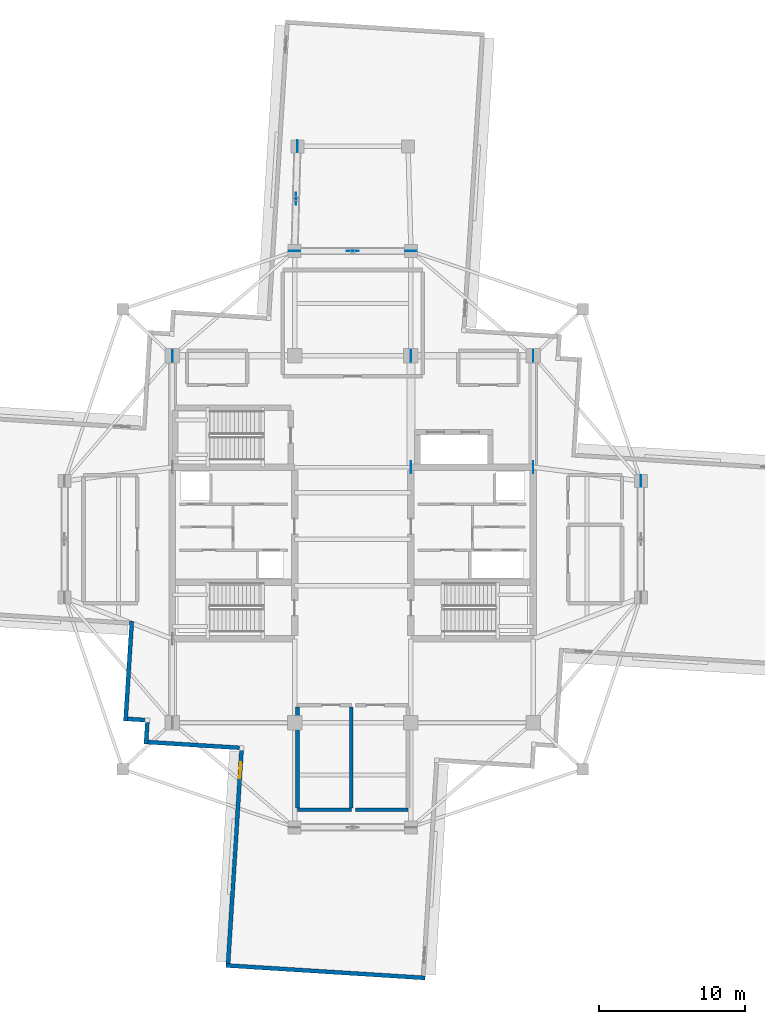
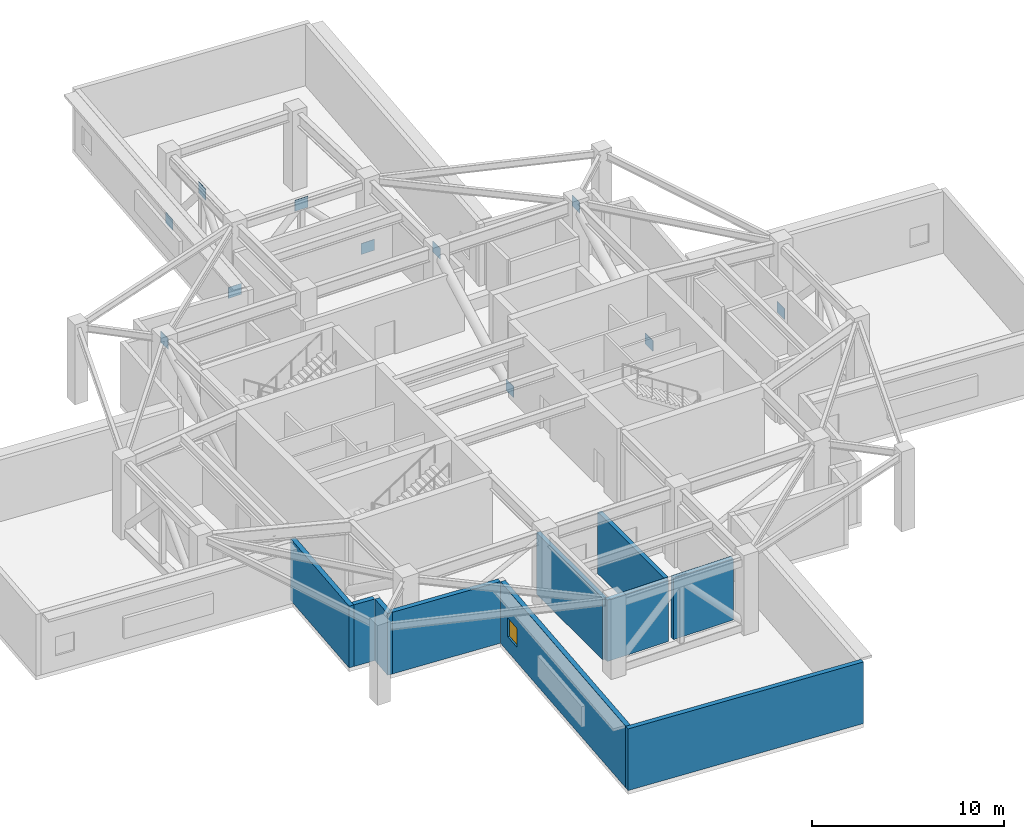
# One storey, part 7 of 14: 11 plates, 10 walls, 1 window, 1 opening.
"""IFC4 building model written with IfcOpenShell, lengths in metres."""

from ifc_helpers import new_model, si_unit, direction, frame, frame_2d, origin, origin_2d, place, context, subcontext, project, spatial, rectangle, extrude, material, layer, layer_set, type_object, element, fill, save


model = new_model("IFC4")

# Units and contexts
model_context = context("Model", 3, precision=1e-05, world=origin(), true_north=direction((0.0, 1.0)))
body_context = subcontext(model_context, "Body", "Model", "MODEL_VIEW")
ifc_project = project(units=[si_unit("LENGTHUNIT", "METRE"), si_unit("AREAUNIT", "SQUARE_METRE"), si_unit("VOLUMEUNIT", "CUBIC_METRE"), si_unit("PLANEANGLEUNIT", "RADIAN"), si_unit("MASSUNIT", "GRAM", prefix="KILO")], contexts=[model_context])

# Site, building, storey
site_placement = place(None, origin())
site = spatial("IfcSite", under=ifc_project, at=site_placement, CompositionType="ELEMENT")
building_placement = place(site_placement, origin())
building = spatial("IfcBuilding", under=site, at=building_placement, Name="Qingluan Cross Belvedere", CompositionType="ELEMENT")
storey_placement = place(building_placement, frame((0.0, 0.0, 240.300048828125)))
storey = spatial("IfcBuildingStorey", under=building, at=storey_placement, Name="L60", CompositionType="ELEMENT", Elevation=240.300048828125)

# Plates
ifc_material_1 = material(Name="Steel Q420GJB", Category="steel")
ifc_layer_1 = layer(ifc_material_1, 0.02490234375, Name="GussetPlate_25")
ifc_layer_set_1 = layer_set([ifc_layer_1], Name="Steel Q420GJB")
plate_type = type_object("IfcPlateType", Name="GussetPlate_25", PredefinedType="SHEET", material=ifc_layer_set_1)
for number, where, z_axis, x_axis, name in (
    (1, (19.800048828125, 4.0, 0.0), (0.0, 0.0, 1.0), (0.0, 1.0, 0.0), "Belt truss gusset node plate L60-E-B"),
    (2, (0.0, 19.800048828125, 4.14990234375), (0.0, 0.0, 1.0), (1.0, 0.0, 0.0), "Belt truss gusset node plate L60-N-M"),
    (3, (4.0, 19.800048828125, 0.0), (0.0, 0.0, 1.0), (1.0, 0.0, 0.0), "Belt truss gusset node plate L60-N-B"),
    (4, (-4.0, 19.800048828125, 0.0), (0.0, 0.0, 1.0), (1.0, 0.0, 0.0), "Belt truss gusset node plate L60-N-A"),
    (5, (-3.89990234375, 23.39990234375, 4.14990234375), (0.0, 0.0, 1.0), (0.027767067237, 0.999614420653, 0.0), "Belt truss gusset node plate L60-NN-M"),
    (6, (-3.800048828125, 27.0, 0.0), (0.0, 0.0, 1.0), (0.027767067237, 0.999614420653, 0.0), "Belt truss gusset node plate L60-NN-B"),
    (7, (-12.39990234375, 12.60009765625, 4.14990234375), (0.0, 0.0, 1.0), (0.0, 1.0, 0.0), "Outrigger end connection plate L60-OWN-TOP"),
    (8, (12.39990234375, 4.949951171875, 0.0), (0.0, 0.0, 1.0), (0.0, 1.0, 0.0), "Outrigger end connection plate L60-OEN-BOT"),
    (9, (12.39990234375, 12.60009765625, 4.14990234375), (0.0, 0.0, 1.0), (0.0, 1.0, 0.0), "Outrigger end connection plate L60-OEN-TOP"),
    (10, (4.0, 4.949951171875, 0.0), (0.0, 0.0, 1.0), (0.0, 1.0, 0.0), "Outrigger end connection plate L60-OCE-BOT"),
    (11, (4.0, 12.60009765625, 4.14990234375), (0.0, 0.0, 1.0), (0.0, 1.0, 0.0), "Outrigger end connection plate L60-OCE-TOP"),
):
    element("IfcPlate", number, at=place(storey_placement, frame(where, z_axis=z_axis, x_axis=x_axis)), inside=storey, type_object=plate_type, Name=name, PredefinedType="SHEET", context=body_context, shape_type="SweptSolid", body=[
        extrude(rectangle(XDim=0.800048828125, YDim=0.02490234375, at=origin_2d()), origin(), (0.0, 0.0, 1.0), 0.699951171875),
    ])

# Walls
ifc_material_2 = material(Name="Concrete C40", Category="concrete")
ifc_layer_2 = layer(ifc_material_2, 0.300048828125, Name="FireCompartmentWall_300")
ifc_layer_set_2 = layer_set([ifc_layer_2], Name="Concrete C40")
wall_type_1 = type_object("IfcWallType", Name="FireCompartmentWall_300", PredefinedType="SOLIDWALL", material=ifc_layer_set_2)
wall_1_placement = place(storey_placement, frame((-3.800048828125, -18.60009765625, 0.0), z_axis=(0.0, 0.0, 1.0), x_axis=(1.0, 0.0, 0.0)))
element("IfcWall", 12, at=wall_1_placement, inside=storey, type_object=wall_type_1, Name="Partition L60:refuge_s1:S", PredefinedType="SOLIDWALL", context=body_context, shape_type="SweptSolid", body=[
    extrude(rectangle(XDim=3.699951171875, YDim=0.25, at=frame_2d((1.85009765625, 0.0))), origin(), (0.0, 0.0, 1.0), 3.919921875),
])
for number, where, z_axis, x_axis, name in (
    (13, (-3.800048828125, -18.469970703125, 0.0), (0.0, 0.0, 1.0), (0.0, 1.0, 0.0), "Partition L60:refuge_s1:W"),
    (14, (-0.10009765625, -18.469970703125, 0.0), (0.0, 0.0, 1.0), (0.0, 1.0, 0.0), "Partition L60:refuge_s1:E"),
):
    element("IfcWall", number, at=place(storey_placement, frame(where, z_axis=z_axis, x_axis=x_axis)), inside=storey, type_object=wall_type_1, Name=name, PredefinedType="SOLIDWALL", context=body_context, shape_type="SweptSolid", body=[
        extrude(rectangle(XDim=6.93994140625, YDim=0.25, at=frame_2d((3.469970703125, 0.0))), origin(), (0.0, 0.0, 1.0), 3.919921875),
    ])
wall_2_placement = place(storey_placement, frame((0.199951171875, -18.60009765625, 0.0), z_axis=(0.0, 0.0, 1.0), x_axis=(1.0, 0.0, 0.0)))
element("IfcWall", 15, at=wall_2_placement, inside=storey, type_object=wall_type_1, Name="Partition L60:refuge_s2:S", PredefinedType="SOLIDWALL", context=body_context, shape_type="SweptSolid", body=[
    extrude(rectangle(XDim=3.60009765625, YDim=0.25, at=frame_2d((1.800048828125, 0.0))), origin(), (0.0, 0.0, 1.0), 3.919921875),
])

# Wall, opening, window
ifc_material_3 = material(Name="Precast concrete C45", Category="concrete")
ifc_layer_3 = layer(ifc_material_3, 0.280029296875, Name="PrecastFacadeWall_280")
ifc_layer_set_3 = layer_set([ifc_layer_3], Name="Precast concrete C45")
wall_type_2 = type_object("IfcWallType", Name="PrecastFacadeWall_280", PredefinedType="STANDARD", material=ifc_layer_set_3)
wall_3_placement = place(storey_placement, frame((-7.644775390625, -14.488525390625, 0.0), z_axis=(0.0, 0.0, 1.0), x_axis=(-0.062794967833, -0.998026448555, 0.0)))
wall_3 = element("IfcWall", 16, at=wall_3_placement, inside=storey, type_object=wall_type_2, Name="Facade wall L60-SA", PredefinedType="STANDARD", context=body_context, shape_type="SweptSolid", body=[
    extrude(rectangle(XDim=14.7001953125, YDim=0.280029296875, at=frame_2d((7.35009765625, 0.0))), origin(), (0.0, 0.0, 1.0), 3.929931640625),
])
opening_placement = place(wall_3_placement, frame((0.85009765625, 0.0, 0.949951171875)))
opening = element("IfcOpeningElement", 17, at=opening_placement, cuts=wall_3, Name="Opening W-07", PredefinedType="OPENING", context=body_context, shape_type="SweptSolid", body=[
    extrude(rectangle(XDim=1.10009765625, YDim=1.199951171875, at=frame_2d((0.550048828125, 0.60009765625))), frame((0.0, 0.14990234375, 0.0), z_axis=(0.0, -1.0, 0.0), x_axis=(1.0, 0.0, 0.0)), (0.0, 0.0, 1.0), 0.300048828125),
])
ifc_material_4 = material(Name="Thermally broken triple Low-E glass in aluminium frame", Category="aluminium")
window_type = type_object("IfcWindowType", Name="RefugeSmokeWin_1100x1200", PartitioningType="SINGLE_PANEL", PredefinedType="WINDOW", material=ifc_material_4)
window_placement = place(opening_placement, origin())
window = element("IfcWindow", 18, at=window_placement, inside=storey, type_object=window_type, Name="Refuge operable smoke window L60-SA", OverallHeight=1.199951171875, OverallWidth=1.10009765625, PartitioningType="SINGLE_PANEL", PredefinedType="WINDOW", context=body_context, shape_type="SweptSolid", body=[
    extrude(rectangle(XDim=1.10009765625, YDim=1.199951171875, at=frame_2d((0.550048828125, 0.60009765625))), frame((0.0, 0.030029296875, 0.0), z_axis=(0.0, -1.0, 0.0), x_axis=(1.0, 0.0, 0.0)), (0.0, 0.0, 1.0), 0.06005859375),
])
fill(opening, window)

# Walls
wall_4_placement = place(storey_placement, frame((-8.71630859375, -29.29052734375, 0.0), z_axis=(0.0, 0.0, 1.0), x_axis=(0.998026318072, -0.062797041623, 0.0)))
element("IfcWall", 19, at=wall_4_placement, inside=storey, type_object=wall_type_2, Name="Arm tip precast facade wall L60-S", PredefinedType="STANDARD", context=body_context, shape_type="SweptSolid", body=[
    extrude(rectangle(XDim=13.719970703125, YDim=0.280029296875, at=frame_2d((6.85986328125, 0.0))), origin(), (0.0, 0.0, 1.0), 3.929931640625),
])
wall_5_placement = place(storey_placement, frame((-15.18408203125, -5.6376953125, 0.0), z_axis=(0.0, 0.0, 1.0), x_axis=(-0.062779317195, -0.998027433156, 0.0)))
element("IfcWall", 20, at=wall_5_placement, inside=storey, type_object=wall_type_2, Name="Corner wall L60-SW1", PredefinedType="STANDARD", context=body_context, shape_type="SweptSolid", body=[
    extrude(rectangle(XDim=6.85986328125, YDim=0.280029296875, at=frame_2d((3.429931640625, 0.0))), origin(), (0.0, 0.0, 1.0), 3.929931640625),
])
wall_6_placement = place(storey_placement, frame((-15.46630859375, -12.353271484375, 0.0), z_axis=(0.0, 0.0, 1.0), x_axis=(0.998024450254, -0.062826719603, 0.0)))
element("IfcWall", 21, at=wall_6_placement, inside=storey, type_object=wall_type_2, Name="Corner wall L60-SW2", PredefinedType="STANDARD", context=body_context, shape_type="SweptSolid", body=[
    extrude(rectangle(XDim=1.22021484375, YDim=0.280029296875, at=frame_2d((0.610107421875, 0.0))), origin(), (0.0, 0.0, 1.0), 3.929931640625),
])
wall_7_placement = place(storey_placement, frame((-14.11767578125, -12.578369140625, 0.0), z_axis=(0.0, 0.0, 1.0), x_axis=(-0.062824119533, -0.998024613927, 0.0)))
element("IfcWall", 22, at=wall_7_placement, inside=storey, type_object=wall_type_2, Name="Corner wall L60-SW3", PredefinedType="STANDARD", context=body_context, shape_type="SweptSolid", body=[
    extrude(rectangle(XDim=1.5, YDim=0.280029296875, at=frame_2d((0.75, 0.0))), origin(), (0.0, 0.0, 1.0), 3.929931640625),
])
wall_8_placement = place(storey_placement, frame((-14.063232421875, -13.944580078125, 0.0), z_axis=(0.0, 0.0, 1.0), x_axis=(0.998027314704, -0.062781200242, 0.0)))
element("IfcWall", 23, at=wall_8_placement, inside=storey, type_object=wall_type_2, Name="Corner wall L60-SW4", PredefinedType="STANDARD", context=body_context, shape_type="SweptSolid", body=[
    extrude(rectangle(XDim=6.2998046875, YDim=0.280029296875, at=frame_2d((3.14990234375, 0.0))), origin(), (0.0, 0.0, 1.0), 3.929931640625),
])

save(model, "model.ifc")
